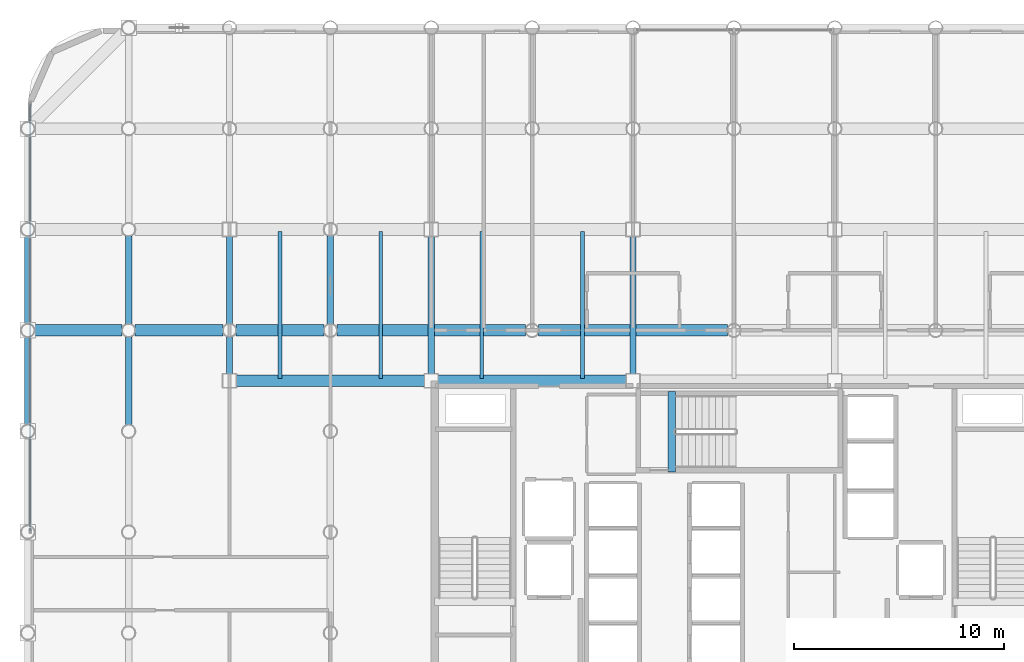
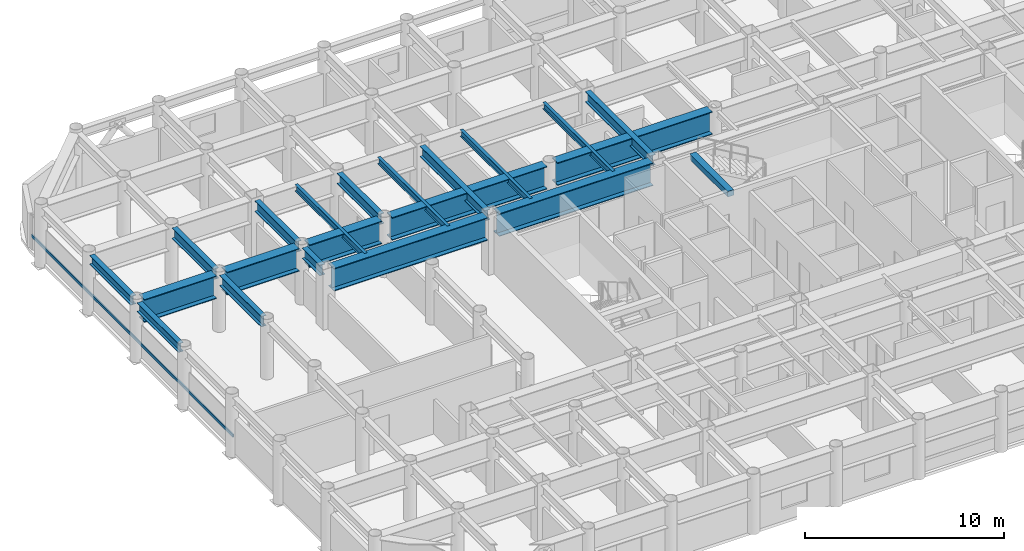
# One storey, part 5 of 23: 21 beams, 1 member, 1 element without a shape of its own.
"""IFC4 building model written with IfcOpenShell, lengths in metres."""

from ifc_helpers import new_model, si_unit, direction, frame, origin, origin_2d, place, context, subcontext, project, spatial, rectangle, hollow_rectangle, i_section, extrude, material, layer, layer_set, material_profile, profile_set, type_object, element, aggregate, save


model = new_model("IFC4")

# Units and contexts
model_context = context("Model", 3, precision=1e-05, world=origin(), true_north=direction((0.0, 1.0)))
body_context = subcontext(model_context, "Body", "Model", "MODEL_VIEW")
ifc_project = project(units=[si_unit("LENGTHUNIT", "METRE"), si_unit("AREAUNIT", "SQUARE_METRE"), si_unit("VOLUMEUNIT", "CUBIC_METRE"), si_unit("PLANEANGLEUNIT", "RADIAN"), si_unit("MASSUNIT", "GRAM", prefix="KILO")], contexts=[model_context])

# Site, building, storey
site_placement = place(None, origin())
site = spatial("IfcSite", under=ifc_project, at=site_placement, CompositionType="ELEMENT")
building_placement = place(site_placement, origin())
building = spatial("IfcBuilding", under=site, at=building_placement, Name="Kallvorn Hotel Tower", CompositionType="ELEMENT")
storey_placement = place(building_placement, frame((0.0, 0.0, 124.800048828125)))
storey = spatial("IfcBuildingStorey", under=building, at=storey_placement, Name="L30", CompositionType="ELEMENT", Elevation=124.800048828125)

# Beams
ifc_material_1 = material(Name="Structural steel S355JR", Category="steel")
ifc_material_profile_1 = material_profile(ifc_material_1, i_section(OverallWidth=0.300048828125, OverallDepth=0.550048828125, WebThickness=0.014892578125, FlangeThickness=0.029052734375, at=origin_2d()), Name="HE 550 B")
ifc_profile_set_1 = profile_set([ifc_material_profile_1], Name="Structural steel S355JR")
beam_type_1 = type_object("IfcBeamType", Name="BM_HE550B", PredefinedType="SPANDREL", material=ifc_profile_set_1)
beam_1_placement = place(storey_placement, frame((-33.60009765625, 5.1201171875, 3.244873046875), z_axis=(0.0, 1.0, 0.0), x_axis=(-1.0, 0.0, 0.0)))
element("IfcBeam", 1, at=beam_1_placement, inside=storey, type_object=beam_type_1, Name="L31 Perimeter Spandrel 178", PredefinedType="SPANDREL", context=body_context, shape_type="SweptSolid", body=[
    extrude(i_section(OverallWidth=0.300048828125, OverallDepth=0.550048828125, WebThickness=0.014892578125, FlangeThickness=0.029052734375, at=origin_2d()), origin(), (0.0, 0.0, 1.0), 4.159912109375),
])
beam_2_placement = place(storey_placement, frame((-33.60009765625, 9.919921875, 3.244873046875), z_axis=(0.0, 1.0, 0.0), x_axis=(-1.0, 0.0, 0.0)))
element("IfcBeam", 2, at=beam_2_placement, inside=storey, type_object=beam_type_1, Name="L31 Perimeter Spandrel 179", PredefinedType="SPANDREL", context=body_context, shape_type="SweptSolid", body=[
    extrude(i_section(OverallWidth=0.300048828125, OverallDepth=0.550048828125, WebThickness=0.014892578125, FlangeThickness=0.029052734375, at=origin_2d()), origin(), (0.0, 0.0, 1.0), 4.16015625),
])
ifc_material_2 = material(Name="Structural steel S355JR", Category="steel")
ifc_material_profile_2 = material_profile(ifc_material_2, i_section(OverallWidth=0.300048828125, OverallDepth=0.64990234375, WebThickness=0.01611328125, FlangeThickness=0.031005859375, at=origin_2d()), Name="HE 650 B")
ifc_profile_set_2 = profile_set([ifc_material_profile_2], Name="Structural steel S355JR")
beam_type_2 = type_object("IfcBeamType", Name="BM_HE650B", PredefinedType="BEAM", material=ifc_profile_set_2)
for number, where, z_axis, x_axis, name in (
    (3, (-28.800048828125, 5.10498046875, 3.195068359375), (0.0, 1.0, 0.0), (-1.0, 0.0, 0.0), "L31 Primary Y-Girder 78"),
    (4, (-28.800048828125, 9.905029296875, 3.195068359375), (0.0, 1.0, 0.0), (-1.0, 0.0, 0.0), "L31 Primary Y-Girder 79"),
):
    element("IfcBeam", number, at=place(storey_placement, frame(where, z_axis=z_axis, x_axis=x_axis)), inside=storey, type_object=beam_type_2, Name=name, PredefinedType="BEAM", context=body_context, shape_type="SweptSolid", body=[
        extrude(i_section(OverallWidth=0.300048828125, OverallDepth=0.64990234375, WebThickness=0.01611328125, FlangeThickness=0.031005859375, at=origin_2d()), origin(), (0.0, 0.0, 1.0), 4.18994140625),
    ])
beam_3_placement = place(storey_placement, frame((-24.0, 7.52490234375, 3.195068359375), z_axis=(0.0, 1.0, 0.0), x_axis=(-1.0, 0.0, 0.0)))
element("IfcBeam", 5, at=beam_3_placement, inside=storey, type_object=beam_type_2, Name="L31 Primary Y-Girder 85", PredefinedType="BEAM", context=body_context, shape_type="SweptSolid", body=[
    extrude(i_section(OverallWidth=0.300048828125, OverallDepth=0.64990234375, WebThickness=0.01611328125, FlangeThickness=0.031005859375, at=origin_2d()), origin(), (0.0, 0.0, 1.0), 1.77001953125),
])
beam_4_placement = place(storey_placement, frame((-24.0, 9.905029296875, 3.195068359375), z_axis=(0.0, 1.0, 0.0), x_axis=(-1.0, 0.0, 0.0)))
element("IfcBeam", 6, at=beam_4_placement, inside=storey, type_object=beam_type_2, Name="L31 Primary Y-Girder 86", PredefinedType="BEAM", context=body_context, shape_type="SweptSolid", body=[
    extrude(i_section(OverallWidth=0.300048828125, OverallDepth=0.64990234375, WebThickness=0.01611328125, FlangeThickness=0.031005859375, at=origin_2d()), origin(), (0.0, 0.0, 1.0), 4.169921875),
])
beam_5_placement = place(storey_placement, frame((-19.199951171875, 9.905029296875, 3.195068359375), z_axis=(0.0, 1.0, 0.0), x_axis=(-1.0, 0.0, 0.0)))
element("IfcBeam", 7, at=beam_5_placement, inside=storey, type_object=beam_type_2, Name="L31 Primary Y-Girder 95", PredefinedType="BEAM", context=body_context, shape_type="SweptSolid", body=[
    extrude(i_section(OverallWidth=0.300048828125, OverallDepth=0.64990234375, WebThickness=0.01611328125, FlangeThickness=0.031005859375, at=origin_2d()), origin(), (0.0, 0.0, 1.0), 4.18994140625),
])
for number, where, z_axis, x_axis, name in (
    (8, (-14.39990234375, 7.52490234375, 3.195068359375), (0.0, 1.0, 0.0), (-1.0, 0.0, 0.0), "L31 Primary Y-Girder 100"),
    (9, (-4.800048828125, 7.52490234375, 3.195068359375), (0.0, 1.0, 0.0), (-1.0, 0.0, 0.0), "L31 Primary Y-Girder 108"),
):
    element("IfcBeam", number, at=place(storey_placement, frame(where, z_axis=z_axis, x_axis=x_axis)), inside=storey, type_object=beam_type_2, Name=name, PredefinedType="BEAM", context=body_context, shape_type="SweptSolid", body=[
        extrude(i_section(OverallWidth=0.300048828125, OverallDepth=0.64990234375, WebThickness=0.01611328125, FlangeThickness=0.031005859375, at=origin_2d()), origin(), (0.0, 0.0, 1.0), 6.550048828125),
    ])
ifc_material_3 = material(Name="Structural steel S355JR", Category="steel")
ifc_material_profile_3 = material_profile(ifc_material_3, i_section(OverallWidth=0.179931640625, OverallDepth=0.39990234375, WebThickness=0.008544921875, FlangeThickness=0.013427734375, at=origin_2d()), Name="IPE 400")
ifc_profile_set_3 = profile_set([ifc_material_profile_3], Name="Structural steel S355JR")
beam_type_3 = type_object("IfcBeamType", Name="BM_IPE400", PredefinedType="JOIST", material=ifc_profile_set_3)
for number, where, z_axis, x_axis, name in (
    (10, (-21.60009765625, 7.300048828125, 3.320068359375), (0.0, 1.0, 0.0), (-1.0, 0.0, 0.0), "L31 Secondary Composite Joist 193"),
    (11, (-16.800048828125, 7.300048828125, 3.320068359375), (0.0, 1.0, 0.0), (-1.0, 0.0, 0.0), "L31 Secondary Composite Joist 195"),
    (12, (-12.0, 7.300048828125, 3.320068359375), (0.0, 1.0, 0.0), (-1.0, 0.0, 0.0), "L31 Secondary Composite Joist 197"),
    (13, (-7.199951171875, 7.300048828125, 3.320068359375), (0.0, 1.0, 0.0), (-1.0, 0.0, 0.0), "L31 Secondary Composite Joist 199"),
):
    element("IfcBeam", number, at=place(storey_placement, frame(where, z_axis=z_axis, x_axis=x_axis)), inside=storey, type_object=beam_type_3, Name=name, PredefinedType="JOIST", context=body_context, shape_type="SweptSolid", body=[
        extrude(i_section(OverallWidth=0.179931640625, OverallDepth=0.39990234375, WebThickness=0.008544921875, FlangeThickness=0.013427734375, at=origin_2d()), origin(), (0.0, 0.0, 1.0), 7.0),
    ])
ifc_material_4 = material(Name="Structural steel S355JR", Category="steel")
ifc_material_profile_4 = material_profile(ifc_material_4, i_section(OverallWidth=0.550048828125, OverallDepth=1.39990234375, WebThickness=0.02490234375, FlangeThickness=0.044921875, at=origin_2d()), Name="PG 1400x550x25x45")
ifc_profile_set_4 = profile_set([ifc_material_profile_4], Name="Structural steel S355JR")
beam_type_4 = type_object("IfcBeamType", Name="BM_PG_1400", PredefinedType="BEAM", material=ifc_profile_set_4)
for number, where, z_axis, x_axis, name in (
    (14, (-23.675048828125, 7.199951171875, 2.820068359375), (1.0, 0.0, 0.0), (0.0, 1.0, 0.0), "L31 Primary X-Girder 36"),
    (15, (-14.074951171875, 7.199951171875, 2.820068359375), (1.0, 0.0, 0.0), (0.0, 1.0, 0.0), "L31 Primary X-Girder 37"),
):
    element("IfcBeam", number, at=place(storey_placement, frame(where, z_axis=z_axis, x_axis=x_axis)), inside=storey, type_object=beam_type_4, Name=name, PredefinedType="BEAM", context=body_context, shape_type="SweptSolid", body=[
        extrude(i_section(OverallWidth=0.550048828125, OverallDepth=1.39990234375, WebThickness=0.02490234375, FlangeThickness=0.044921875, at=origin_2d()), origin(), (0.0, 0.0, 1.0), 8.949951171875),
    ])
beam_6_placement = place(storey_placement, frame((-33.294921875, 9.60009765625, 2.820068359375), z_axis=(1.0, 0.0, 0.0), x_axis=(0.0, 1.0, 0.0)))
element("IfcBeam", 16, at=beam_6_placement, inside=storey, type_object=beam_type_4, Name="L31 Primary X-Girder 41", PredefinedType="BEAM", context=body_context, shape_type="SweptSolid", body=[
    extrude(i_section(OverallWidth=0.550048828125, OverallDepth=1.39990234375, WebThickness=0.02490234375, FlangeThickness=0.044921875, at=origin_2d()), origin(), (0.0, 0.0, 1.0), 4.18994140625),
])
for number, where, z_axis, x_axis, name in (
    (17, (-28.4951171875, 9.60009765625, 2.820068359375), (1.0, 0.0, 0.0), (0.0, 1.0, 0.0), "L31 Primary X-Girder 42"),
    (18, (-23.695068359375, 9.60009765625, 2.820068359375), (1.0, 0.0, 0.0), (0.0, 1.0, 0.0), "L31 Primary X-Girder 43"),
):
    element("IfcBeam", number, at=place(storey_placement, frame(where, z_axis=z_axis, x_axis=x_axis)), inside=storey, type_object=beam_type_4, Name=name, PredefinedType="BEAM", context=body_context, shape_type="SweptSolid", body=[
        extrude(i_section(OverallWidth=0.550048828125, OverallDepth=1.39990234375, WebThickness=0.02490234375, FlangeThickness=0.044921875, at=origin_2d()), origin(), (0.0, 0.0, 1.0), 4.190185546875),
    ])
for number, where, z_axis, x_axis, name in (
    (19, (-18.89501953125, 9.60009765625, 2.820068359375), (1.0, 0.0, 0.0), (0.0, 1.0, 0.0), "L31 Primary X-Girder 44"),
    (20, (-9.294921875, 9.60009765625, 2.820068359375), (1.0, 0.0, 0.0), (0.0, 1.0, 0.0), "L31 Primary X-Girder 45"),
):
    element("IfcBeam", number, at=place(storey_placement, frame(where, z_axis=z_axis, x_axis=x_axis)), inside=storey, type_object=beam_type_4, Name=name, PredefinedType="BEAM", context=body_context, shape_type="SweptSolid", body=[
        extrude(i_section(OverallWidth=0.550048828125, OverallDepth=1.39990234375, WebThickness=0.02490234375, FlangeThickness=0.044921875, at=origin_2d()), origin(), (0.0, 0.0, 1.0), 8.989990234375),
    ])
ifc_material_5 = material(Name="Concrete C50/60", Category="concrete")
ifc_material_profile_5 = material_profile(ifc_material_5, rectangle(XDim=0.360107421875, YDim=0.340087890625, at=origin_2d()), Name="RC 360x340")
ifc_profile_set_5 = profile_set([ifc_material_profile_5], Name="Concrete C50/60")
beam_type_5 = type_object("IfcBeamType", Name="BM_RC_400x360", PredefinedType="BEAM", material=ifc_profile_set_5)
beam_7_placement = place(storey_placement, frame((-2.9599609375, 2.8701171875, 3.349853515625), z_axis=(0.0, 1.0, 0.0), x_axis=(-1.0, 0.0, 0.0)))
element("IfcBeam", 21, at=beam_7_placement, inside=storey, type_object=beam_type_5, Name="L31 Stair ST3 Arrival Trimmer Beam", PredefinedType="BEAM", context=body_context, shape_type="SweptSolid", body=[
    extrude(rectangle(XDim=0.360107421875, YDim=0.340087890625, at=origin_2d()), origin(), (0.0, 0.0, 1.0), 3.81982421875),
])

# Curtain wall, member
ifc_material_6 = material(Name="Thermally broken black-anodised aluminium AA 6063-T6", Category="aluminium")
ifc_layer = layer(ifc_material_6, 0.2099609375)
ifc_layer_set = layer_set([ifc_layer], Name="CW_SYS_4_HOTEL_MID")
curtain_wall_type = type_object("IfcCurtainWallType", Name="CW_SYS_4_HOTEL_MID", PredefinedType="USERDEFINED", material=ifc_layer_set)
curtain_wall_placement = place(storey_placement, origin())
curtain_wall = element("IfcCurtainWall", 22, at=curtain_wall_placement, inside=storey, type_object=curtain_wall_type, Name="L30 Dark-Glass Curtain Wall CW-L30-WN", ObjectType="UNITISED CURTAIN WALL", PredefinedType="USERDEFINED")
ifc_material_7 = material(Name="Thermally broken black-anodised aluminium AA 6063-T6", Category="aluminium")
ifc_material_profile_6 = material_profile(ifc_material_7, hollow_rectangle(XDim=0.070068359375, YDim=0.179931640625, WallThickness=0.00390625, at=origin_2d()), Name="TRN 180x70")
ifc_profile_set_6 = profile_set([ifc_material_profile_6], Name="Thermally broken black-anodised aluminium AA 6063-T6")
member_type = type_object("IfcMemberType", Name="CW_TRANSOM_180x70", PredefinedType="USERDEFINED", material=ifc_profile_set_6)
member_placement = place(storey_placement, frame((-33.47998046875, 0.06005859375, 0.849853515625), z_axis=(0.0, 1.0, 0.0), x_axis=(-1.0, 0.0, 0.0)))
member = element("IfcMember", 23, at=member_placement, type_object=member_type, Name="CW-L30-WN Transom 00M", ObjectType="TRANSOM", PredefinedType="USERDEFINED", context=body_context, shape_type="SweptSolid", body=[
    extrude(hollow_rectangle(XDim=0.070068359375, YDim=0.179931640625, WallThickness=0.00390625, at=origin_2d()), origin(), (0.0, 0.0, 1.0), 20.300048828125),
])
aggregate(curtain_wall, [member])

save(model, "model.ifc")
